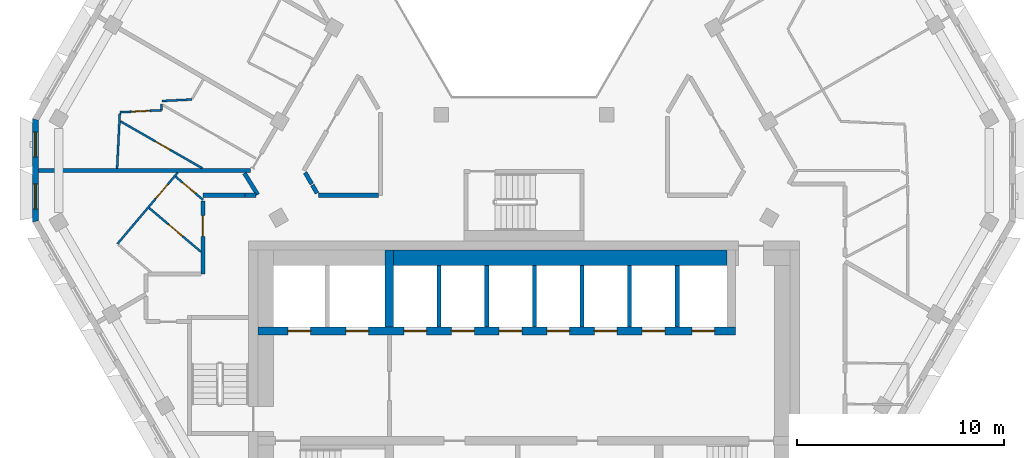
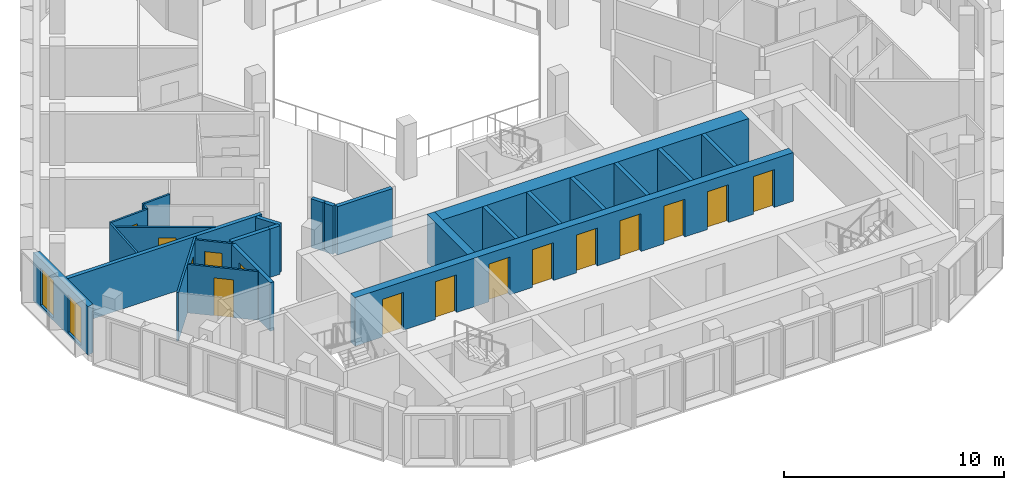
# One storey, part 4 of 16: 26 walls, 15 doors, 2 windows, 17 openings.
"""IFC4 building model written with IfcOpenShell, lengths in metres."""

import ifcopenshell
import ifcopenshell.guid

model = None  # the IFC model being written
_history = None  # IfcOwnerHistory: only IFC2X3 demands one
_inside = {}  # id of a spatial element -> (the spatial element, [elements in it])
_under = {}  # id of a project, library or spatial element -> (it, [spatial elements below it])
_declared = {}  # id of a project -> (the project, [libraries it declares])
_typed = {}  # id of a type object -> (the type object, [elements of that type])
_made_of = {}  # id of a material, layer set ... -> (it, [elements and type objects made of it])


def new_model(schema):
    """Start an empty IFC model of exactly this schema.

    Asked for "IFC4X3", IfcOpenShell would pick the latest addendum, in which some entities
    have other attributes; the version numbers below select the first issue.
    IFC2X3 requires an IfcOwnerHistory on every rooted entity: one is made here for all.
    """
    global model, _history
    if schema == "IFC4X3":
        model = ifcopenshell.file(schema_version=(4, 3, 0, 0))
    else:
        model = ifcopenshell.file(schema=schema)
    _inside.clear()
    _under.clear()
    _declared.clear()
    _typed.clear()
    _made_of.clear()
    _history = None
    if model.schema == "IFC2X3":
        org = make("IfcOrganization", Name="unknown")
        user = make(
            "IfcPersonAndOrganization",
            ThePerson=make("IfcPerson", FamilyName="unknown"),
            TheOrganization=org,
        )
        app = make(
            "IfcApplication",
            ApplicationDeveloper=org,
            Version="unknown",
            ApplicationFullName="unknown",
            ApplicationIdentifier="unknown",
        )
        _history = make(
            "IfcOwnerHistory",
            OwningUser=user,
            OwningApplication=app,
            ChangeAction="ADDED",
            CreationDate=0,
        )
    return model


def make(cls, **values):
    """One entity of the class cls with the attributes given. An attribute that is None is left unset."""
    return model.create_entity(
        cls, **{name: value for name, value in values.items() if value is not None}
    )


def rooted(cls, **values):
    """An entity with a GlobalId (a new one), such as an element, a storey or a relation."""
    return make(cls, GlobalId=ifcopenshell.guid.new(), OwnerHistory=_history, **values)


def si_unit(unit_type, name, prefix=None):
    """IfcSIUnit, for example si_unit("LENGTHUNIT", "METRE", prefix="MILLI")."""
    return make("IfcSIUnit", UnitType=unit_type, Prefix=prefix, Name=name)


def assignment(units):
    """IfcUnitAssignment: the units of a project."""
    return None if units is None else make("IfcUnitAssignment", Units=units)


def point(xyz):
    """IfcCartesianPoint."""
    return None if xyz is None else make("IfcCartesianPoint", Coordinates=xyz)


def direction(xyz):
    """IfcDirection."""
    return None if xyz is None else make("IfcDirection", DirectionRatios=xyz)


def frame(location, z_axis=None, x_axis=None):
    """IfcAxis2Placement3D, a coordinate frame: its origin and axes. An axis left out is left unset."""
    return make(
        "IfcAxis2Placement3D",
        Location=point(location),
        Axis=direction(z_axis),
        RefDirection=direction(x_axis),
    )


def frame_2d(location, x_axis=None):
    """IfcAxis2Placement2D, a coordinate frame in the plane: its origin and x axis."""
    return make(
        "IfcAxis2Placement2D", Location=point(location), RefDirection=direction(x_axis)
    )


def origin():
    """The frame at (0, 0, 0) with its axes left unset."""
    return frame((0.0, 0.0, 0.0))


def place(relative_to, where):
    """IfcLocalPlacement: puts the frame where relative to a parent placement (None: the world)."""
    return make(
        "IfcLocalPlacement", PlacementRelTo=relative_to, RelativePlacement=where
    )


def context(
    kind, dimensions, precision=None, world=None, true_north=None, identifier=None
):
    """IfcGeometricRepresentationContext, for example the 3D "Model" context."""
    return make(
        "IfcGeometricRepresentationContext",
        ContextIdentifier=identifier,
        ContextType=kind,
        CoordinateSpaceDimension=dimensions,
        Precision=precision,
        WorldCoordinateSystem=world,
        TrueNorth=true_north,
    )


def subcontext(parent, identifier, kind, view, scale=None):
    """IfcGeometricRepresentationSubContext, for example "Body" below "Model"."""
    return make(
        "IfcGeometricRepresentationSubContext",
        ContextIdentifier=identifier,
        ContextType=kind,
        ParentContext=parent,
        TargetScale=scale,
        TargetView=view,
    )


def project(units=None, contexts=None):
    """IfcProject with its units and contexts."""
    return rooted(
        "IfcProject",
        Name="project",
        RepresentationContexts=contexts,
        UnitsInContext=assignment(units),
    )


def spatial(cls, under=None, at=None, **own):
    """A site, building, storey or space (cls), placed at a placement, below another one or the project."""
    s = rooted(cls, ObjectPlacement=at, **own)
    if under is not None:
        _under.setdefault(under.id(), (under, []))[1].append(s)
    return s


def polyline(points):
    """IfcPolyline through the points."""
    return make("IfcPolyline", Points=[point(p) for p in points])


def profile(cls, at=None, kind="AREA", **sizes):
    """A parametric profile (cls). Its sizes go by their IFC names, for example OverallWidth=200.0."""
    return make(cls, ProfileType=kind, Position=at, **sizes)


def rectangle(**sizes):
    """IfcRectangleProfileDef."""
    return profile("IfcRectangleProfileDef", **sizes)


def outline(outer, holes=None, kind="AREA"):
    """IfcArbitraryClosedProfileDef: a profile drawn as a closed curve; with holes, ...WithVoids."""
    if holes is None:
        return make("IfcArbitraryClosedProfileDef", ProfileType=kind, OuterCurve=outer)
    return make(
        "IfcArbitraryProfileDefWithVoids",
        ProfileType=kind,
        OuterCurve=outer,
        InnerCurves=holes,
    )


def extrude(swept, where, along, depth):
    """IfcExtrudedAreaSolid: the profile swept, set in the frame where, extruded along a direction by depth."""
    return make(
        "IfcExtrudedAreaSolid",
        SweptArea=swept,
        Position=where,
        ExtrudedDirection=direction(along),
        Depth=depth,
    )


def shape(context_of_items, identifier, shape_type, items):
    """IfcShapeRepresentation: the items that make up one representation, for example the "Body"."""
    return make(
        "IfcShapeRepresentation",
        ContextOfItems=context_of_items,
        RepresentationIdentifier=identifier,
        RepresentationType=shape_type,
        Items=items,
    )


def material(Name=None, Category=None):
    """IfcMaterial."""
    return make("IfcMaterial", Name=Name, Category=Category)


def layer(
    of_material, thickness, ventilated=None, Name=None, Category=None, Priority=None
):
    """IfcMaterialLayer: one layer of a wall or slab, of a material (None: an air gap)."""
    return make(
        "IfcMaterialLayer",
        Material=of_material,
        LayerThickness=thickness,
        IsVentilated=ventilated,
        Name=Name,
        Category=Category,
        Priority=Priority,
    )


def layer_set(layers, Name=None):
    """IfcMaterialLayerSet."""
    return make("IfcMaterialLayerSet", MaterialLayers=layers, LayerSetName=Name)


def made_of(thing, what):
    """Note that an element or type object is made of a material, layer set ...; save() writes the relation."""
    if what is not None:
        _made_of.setdefault(what.id(), (what, []))[1].append(thing)
    return thing


def type_object(cls, material=None, **own):
    """A type object (cls), such as IfcWallType, which elements share."""
    return made_of(rooted(cls, **own), material)


def element(
    cls,
    number,
    at=None,
    inside=None,
    cuts=None,
    type_object=None,
    material=None,
    context=None,
    identifier="Body",
    shape_type=None,
    held_by="IfcProductDefinitionShape",
    body=None,
    shapes=None,
    **own,
):
    """One element of the class cls, such as IfcWall. Its Tag is "e" and its number.

    at: its placement. inside: the storey or other place that contains it. cuts: it is an
    opening in that element (IfcRelVoidsElement). A single representation is given by context,
    identifier, shape_type and body (its items); several are given by shapes. held_by: the class
    of the entity that holds the representations. save() writes the other relations.
    """
    e = rooted(cls, Tag="e%d" % number, ObjectPlacement=at, **own)
    if body is not None:
        shapes = [shape(context, identifier, shape_type, body)]
    if shapes is not None:
        e.Representation = make(held_by, Representations=shapes)
    if inside is not None:
        _inside.setdefault(inside.id(), (inside, []))[1].append(e)
    if cuts is not None:
        rooted(
            "IfcRelVoidsElement", RelatingBuildingElement=cuts, RelatedOpeningElement=e
        )
    if type_object is not None:
        _typed.setdefault(type_object.id(), (type_object, []))[1].append(e)
    return made_of(e, material)


def fill(opening, filler):
    """IfcRelFillsElement: the door or window that sits in an opening."""
    return rooted(
        "IfcRelFillsElement",
        RelatingOpeningElement=opening,
        RelatedBuildingElement=filler,
    )


def aggregate(whole, parts):
    """IfcRelAggregates: a whole, such as a stair, and the parts it consists of."""
    return rooted("IfcRelAggregates", RelatingObject=whole, RelatedObjects=parts)


def save(model, path):
    """Write the relations noted so far, then the file.

    IfcRelAggregates (storeys below a building ...), IfcRelContainedInSpatialStructure (elements
    in a storey), IfcRelDefinesByType, IfcRelAssociatesMaterial and IfcRelDeclares: one each for
    every whole, place, type object, material and project.
    """
    for whole, parts in _under.values():
        aggregate(whole, parts)
    for where, things in _inside.values():
        rooted(
            "IfcRelContainedInSpatialStructure",
            RelatedElements=things,
            RelatingStructure=where,
        )
    for kind, things in _typed.values():
        rooted("IfcRelDefinesByType", RelatedObjects=things, RelatingType=kind)
    for what, things in _made_of.values():
        rooted("IfcRelAssociatesMaterial", RelatedObjects=things, RelatingMaterial=what)
    for by, libraries in _declared.values():
        rooted("IfcRelDeclares", RelatingContext=by, RelatedDefinitions=libraries)
    model.write(path)


model = new_model("IFC4")

# Units and contexts
model_context = context("Model", 3, precision=1e-05, world=origin(), true_north=direction((0.0, 1.0)))
body_context = subcontext(model_context, "Body", "Model", "MODEL_VIEW")
ifc_project = project(units=[si_unit("LENGTHUNIT", "METRE"), si_unit("AREAUNIT", "SQUARE_METRE"), si_unit("VOLUMEUNIT", "CUBIC_METRE"), si_unit("PLANEANGLEUNIT", "RADIAN"), si_unit("MASSUNIT", "GRAM", prefix="KILO")], contexts=[model_context])

# Site, building, storey
site_placement = place(None, origin())
site = spatial("IfcSite", under=ifc_project, at=site_placement, CompositionType="ELEMENT")
building_placement = place(site_placement, origin())
building = spatial("IfcBuilding", under=site, at=building_placement, Name="Beryl Residences", CompositionType="ELEMENT")
storey_placement = place(building_placement, frame((0.0, 0.0, 208.800048828125)))
storey = spatial("IfcBuildingStorey", under=building, at=storey_placement, Name="L64", CompositionType="ELEMENT", Elevation=208.800048828125)

# Wall, openings, windows
ifc_material_1 = material(Name="Composite metal panel with mineral wool insulation")
ifc_layer_1 = layer(ifc_material_1, 0.300048828125)
ifc_layer_set_1 = layer_set([ifc_layer_1], Name="ES1 pale metal composite panel wall 300 mm")
wall_type_1 = type_object("IfcWallType", Name="ES1 pale metal composite panel wall 300 mm", PredefinedType="SOLIDWALL", material=ifc_layer_set_1)
wall_1_placement = place(storey_placement, frame((-23.5791015625, 0.89990234375, 0.0), z_axis=(0.0, 0.0, 1.0), x_axis=(0.0, -1.0, 0.0)))
wall_1 = element("IfcWall", 1, at=wall_1_placement, inside=storey, type_object=wall_type_1, Name="ES1 external wall L64 NW-SW", PredefinedType="SOLIDWALL", context=body_context, shape_type="SweptSolid", body=[
    extrude(outline(polyline([(0.0, -0.14990234375), (5.0, -0.14990234375), (4.919677734375, 0.14990234375), (0.080322265625, 0.14990234375), (0.0, -0.14990234375)])), origin(), (0.0, 0.0, 1.0), 2.699951171875),
])
opening_1_placement = place(wall_1_placement, frame((0.64990234375, 0.0, 0.14990234375)))
opening_1 = element("IfcOpeningElement", 2, at=opening_1_placement, cuts=wall_1, Name="Opening W2", PredefinedType="OPENING", context=body_context, shape_type="SweptSolid", body=[
    extrude(rectangle(XDim=1.199951171875, YDim=2.10009765625, at=frame_2d((0.60009765625, 1.050048828125))), frame((0.0, 0.159912109375, 0.0), z_axis=(0.0, -1.0, 0.0), x_axis=(1.0, 0.0, 0.0)), (0.0, 0.0, 1.0), 0.320068359375),
])
opening_2_placement = place(wall_1_placement, frame((3.14990234375, 0.0, 0.14990234375)))
opening_2 = element("IfcOpeningElement", 3, at=opening_2_placement, cuts=wall_1, Name="Opening W2", PredefinedType="OPENING", context=body_context, shape_type="SweptSolid", body=[
    extrude(rectangle(XDim=1.199951171875, YDim=2.10009765625, at=frame_2d((0.60009765625, 1.050048828125))), frame((0.0, 0.159912109375, 0.0), z_axis=(0.0, -1.0, 0.0), x_axis=(1.0, 0.0, 0.0)), (0.0, 0.0, 1.0), 0.320068359375),
])
ifc_material_2 = material(Name="Aluminium and clear glass", Category="aluminium")
window_type = type_object("IfcWindowType", Name="W2 chamfer window 1200 x 2100 mm", PartitioningType="SINGLE_PANEL", PredefinedType="WINDOW", material=ifc_material_2)
window_1_placement = place(opening_1_placement, origin())
window_1 = element("IfcWindow", 4, at=window_1_placement, inside=storey, type_object=window_type, Name="W2 window L64 NW-SW 1", OverallHeight=2.10009765625, OverallWidth=1.199951171875, PartitioningType="SINGLE_PANEL", PredefinedType="WINDOW", context=body_context, shape_type="SweptSolid", body=[
    extrude(rectangle(XDim=1.199951171875, YDim=2.10009765625, at=frame_2d((0.60009765625, 1.050048828125))), frame((0.0, 0.030029296875, 0.0), z_axis=(0.0, -1.0, 0.0), x_axis=(1.0, 0.0, 0.0)), (0.0, 0.0, 1.0), 0.06005859375),
])
fill(opening_1, window_1)
window_2_placement = place(opening_2_placement, origin())
window_2 = element("IfcWindow", 5, at=window_2_placement, inside=storey, type_object=window_type, Name="W2 window L64 NW-SW 2", OverallHeight=2.10009765625, OverallWidth=1.199951171875, PartitioningType="SINGLE_PANEL", PredefinedType="WINDOW", context=body_context, shape_type="SweptSolid", body=[
    extrude(rectangle(XDim=1.199951171875, YDim=2.10009765625, at=frame_2d((0.60009765625, 1.050048828125))), frame((0.0, 0.030029296875, 0.0), z_axis=(0.0, -1.0, 0.0), x_axis=(1.0, 0.0, 0.0)), (0.0, 0.0, 1.0), 0.06005859375),
])
fill(opening_2, window_2)

# Wall, opening, door
ifc_material_3 = material(Name="Gypsum board partition on steel studs", Category="steel")
ifc_layer_2 = layer(ifc_material_3, 0.10009765625)
ifc_layer_set_2 = layer_set([ifc_layer_2], Name="PT1 partition 100 mm gypsum board on steel studs")
wall_type_2 = type_object("IfcWallType", Name="PT1 partition 100 mm gypsum board on steel studs", PredefinedType="PARTITIONING", material=ifc_layer_set_2)
wall_2_placement = place(storey_placement, frame((-19.47998046875, 0.77099609375, 0.0), z_axis=(0.0, 0.0, 1.0), x_axis=(0.86748552317, -0.497462427817, 0.0)))
wall_2 = element("IfcWall", 6, at=wall_2_placement, inside=storey, type_object=wall_type_2, Name="Wall PT1 L64 018", PredefinedType="PARTITIONING", context=body_context, shape_type="SweptSolid", body=[
    extrude(rectangle(XDim=4.567138671875, YDim=0.10009765625, at=frame_2d((2.28369140625, 0.0))), origin(), (0.0, 0.0, 1.0), 2.699951171875),
])
opening_3_placement = place(wall_2_placement, frame((1.9560546875, 0.0, 0.0)))
opening_3 = element("IfcOpeningElement", 7, at=opening_3_placement, cuts=wall_2, Name="Opening D1819", PredefinedType="OPENING", context=body_context, shape_type="SweptSolid", body=[
    extrude(rectangle(XDim=0.800048828125, YDim=2.10009765625, at=frame_2d((0.39990234375, 1.050048828125))), frame((0.0, 0.06005859375, 0.0), z_axis=(0.0, -1.0, 0.0), x_axis=(1.0, 0.0, 0.0)), (0.0, 0.0, 1.0), 0.1201171875),
])
ifc_material_4 = material(Name="Timber door leaf", Category="wood")
door_type_1 = type_object("IfcDoorType", Name="D3 bathroom door 800 x 2100 mm", OperationType="SINGLE_SWING_LEFT", PredefinedType="DOOR", material=ifc_material_4)
door_1_placement = place(opening_3_placement, origin())
door_1 = element("IfcDoor", 8, at=door_1_placement, inside=storey, type_object=door_type_1, Name="Door D1819 L64 001", OperationType="SINGLE_SWING_LEFT", OverallHeight=2.10009765625, OverallWidth=0.800048828125, PredefinedType="DOOR", context=body_context, shape_type="SweptSolid", body=[
    extrude(rectangle(XDim=0.800048828125, YDim=2.10009765625, at=frame_2d((0.39990234375, 1.050048828125))), frame((0.0, 0.02490234375, 0.0), z_axis=(0.0, -1.0, 0.0), x_axis=(1.0, 0.0, 0.0)), (0.0, 0.0, 1.0), 0.050048828125),
])
fill(opening_3, door_1)

wall_3_placement = place(storey_placement, frame((-16.81591796875, -1.89990234375, 0.0), z_axis=(0.0, 0.0, 1.0), x_axis=(0.763509851459, -0.645796180482, 0.0)))
wall_3 = element("IfcWall", 9, at=wall_3_placement, inside=storey, type_object=wall_type_2, Name="Wall PT1 L64 022", PredefinedType="PARTITIONING", context=body_context, shape_type="SweptSolid", body=[
    extrude(rectangle(XDim=1.7236328125, YDim=0.10009765625, at=frame_2d((0.86181640625, 0.0))), origin(), (0.0, 0.0, 1.0), 2.699951171875),
])
opening_4_placement = place(wall_3_placement, frame((0.43701171875, 0.0, 0.0)))
opening_4 = element("IfcOpeningElement", 10, at=opening_4_placement, cuts=wall_3, Name="Opening D1824", PredefinedType="OPENING", context=body_context, shape_type="SweptSolid", body=[
    extrude(rectangle(XDim=0.800048828125, YDim=2.10009765625, at=frame_2d((0.39990234375, 1.050048828125))), frame((0.0, 0.06005859375, 0.0), z_axis=(0.0, -1.0, 0.0), x_axis=(1.0, 0.0, 0.0)), (0.0, 0.0, 1.0), 0.1201171875),
])
door_2_placement = place(opening_4_placement, origin())
door_2 = element("IfcDoor", 11, at=door_2_placement, inside=storey, type_object=door_type_1, Name="Door D1824 L64 001", OperationType="SINGLE_SWING_RIGHT", OverallHeight=2.10009765625, OverallWidth=0.800048828125, PredefinedType="DOOR", context=body_context, shape_type="SweptSolid", body=[
    extrude(rectangle(XDim=0.800048828125, YDim=2.10009765625, at=frame_2d((0.39990234375, 1.050048828125))), frame((0.0, 0.02490234375, 0.0), z_axis=(0.0, -1.0, 0.0), x_axis=(1.0, 0.0, 0.0)), (0.0, 0.0, 1.0), 0.050048828125),
])
fill(opening_4, door_2)

wall_4_placement = place(storey_placement, frame((-18.094970703125, -3.412109375, 0.0), z_axis=(0.0, 0.0, 1.0), x_axis=(0.763564811502, -0.645731196889, 0.0)))
wall_4 = element("IfcWall", 12, at=wall_4_placement, inside=storey, type_object=wall_type_2, Name="Wall PT1 L64 023", PredefinedType="PARTITIONING", context=body_context, shape_type="SweptSolid", body=[
    extrude(rectangle(XDim=3.267333984375, YDim=0.10009765625, at=frame_2d((1.6337890625, 0.0))), origin(), (0.0, 0.0, 1.0), 2.699951171875),
])
opening_5_placement = place(wall_4_placement, frame((1.22412109375, 0.0, 0.0)))
opening_5 = element("IfcOpeningElement", 13, at=opening_5_placement, cuts=wall_4, Name="Opening D1822", PredefinedType="OPENING", context=body_context, shape_type="SweptSolid", body=[
    extrude(rectangle(XDim=0.89990234375, YDim=2.10009765625, at=frame_2d((0.449951171875, 1.050048828125))), frame((0.0, 0.06005859375, 0.0), z_axis=(0.0, -1.0, 0.0), x_axis=(1.0, 0.0, 0.0)), (0.0, 0.0, 1.0), 0.1201171875),
])
ifc_material_5 = material(Name="Timber door leaf", Category="wood")
door_type_2 = type_object("IfcDoorType", Name="D2 room door 900 x 2100 mm", OperationType="SINGLE_SWING_LEFT", PredefinedType="DOOR", material=ifc_material_5)
door_3_placement = place(opening_5_placement, origin())
door_3 = element("IfcDoor", 14, at=door_3_placement, inside=storey, type_object=door_type_2, Name="Door D1822 L64 001", OperationType="SINGLE_SWING_RIGHT", OverallHeight=2.10009765625, OverallWidth=0.89990234375, PredefinedType="DOOR", context=body_context, shape_type="SweptSolid", body=[
    extrude(rectangle(XDim=0.89990234375, YDim=2.10009765625, at=frame_2d((0.449951171875, 1.050048828125))), frame((0.0, 0.02490234375, 0.0), z_axis=(0.0, -1.0, 0.0), x_axis=(1.0, 0.0, 0.0)), (0.0, 0.0, 1.0), 0.050048828125),
])
fill(opening_5, door_3)

wall_5_placement = place(storey_placement, frame((-19.625, -5.14404296875, 0.0), z_axis=(0.0, 0.0, 1.0), x_axis=(0.645668001073, 0.763618250431, 0.0)))
wall_5 = element("IfcWall", 15, at=wall_5_placement, inside=storey, type_object=wall_type_2, Name="Wall PT1 L64 027", PredefinedType="PARTITIONING", context=body_context, shape_type="SweptSolid", body=[
    extrude(rectangle(XDim=4.51025390625, YDim=0.10009765625, at=frame_2d((2.255126953125, 0.0))), origin(), (0.0, 0.0, 1.0), 2.699951171875),
])
opening_6_placement = place(wall_5_placement, frame((2.85009765625, 0.0, 0.0)))
opening_6 = element("IfcOpeningElement", 16, at=opening_6_placement, cuts=wall_5, Name="Opening D1823", PredefinedType="OPENING", context=body_context, shape_type="SweptSolid", body=[
    extrude(rectangle(XDim=0.89990234375, YDim=2.10009765625, at=frame_2d((0.449951171875, 1.050048828125))), frame((0.0, 0.06005859375, 0.0), z_axis=(0.0, -1.0, 0.0), x_axis=(1.0, 0.0, 0.0)), (0.0, 0.0, 1.0), 0.1201171875),
])
door_4_placement = place(opening_6_placement, origin())
door_4 = element("IfcDoor", 17, at=door_4_placement, inside=storey, type_object=door_type_2, Name="Door D1823 L64 001", OperationType="SINGLE_SWING_LEFT", OverallHeight=2.10009765625, OverallWidth=0.89990234375, PredefinedType="DOOR", context=body_context, shape_type="SweptSolid", body=[
    extrude(rectangle(XDim=0.89990234375, YDim=2.10009765625, at=frame_2d((0.449951171875, 1.050048828125))), frame((0.0, 0.02490234375, 0.0), z_axis=(0.0, -1.0, 0.0), x_axis=(1.0, 0.0, 0.0)), (0.0, 0.0, 1.0), 0.050048828125),
])
fill(opening_6, door_4)

# Walls
wall_6_placement = place(storey_placement, frame((-17.5029296875, 1.306884765625, 0.0), z_axis=(0.0, 0.0, 1.0), x_axis=(0.049055201451, 0.99879606888, 0.0)))
element("IfcWall", 18, at=wall_6_placement, inside=storey, type_object=wall_type_2, Name="Wall PT1 L64 034", PredefinedType="PARTITIONING", context=body_context, shape_type="SweptSolid", body=[
    extrude(rectangle(XDim=0.303466796875, YDim=0.10009765625, at=frame_2d((0.15185546875, 0.0))), origin(), (0.0, 0.0, 1.0), 2.699951171875),
])
wall_7_placement = place(storey_placement, frame((-19.64111328125, -1.5, 0.0), z_axis=(0.0, 0.0, 1.0), x_axis=(0.048898906005, 0.998803732968, 0.0)))
element("IfcWall", 19, at=wall_7_placement, inside=storey, type_object=wall_type_2, Name="Wall PT1 L64 035", PredefinedType="PARTITIONING", context=body_context, shape_type="SweptSolid", body=[
    extrude(rectangle(XDim=2.6611328125, YDim=0.10009765625, at=frame_2d((1.33056640625, 0.0))), origin(), (0.0, 0.0, 1.0), 2.699951171875),
])

# Wall, opening, door
wall_8_placement = place(storey_placement, frame((-19.508056640625, 1.2080078125, 0.0), z_axis=(0.0, 0.0, 1.0), x_axis=(0.998786372978, 0.04925221978, 0.0)))
wall_8 = element("IfcWall", 20, at=wall_8_placement, inside=storey, type_object=wall_type_2, Name="Wall PT1 L64 045", PredefinedType="PARTITIONING", context=body_context, shape_type="SweptSolid", body=[
    extrude(rectangle(XDim=2.007568359375, YDim=0.10009765625, at=frame_2d((1.00390625, 0.0))), origin(), (0.0, 0.0, 1.0), 2.699951171875),
])
opening_7_placement = place(wall_8_placement, frame((0.553955078125, 0.0, 0.0)))
opening_7 = element("IfcOpeningElement", 21, at=opening_7_placement, cuts=wall_8, Name="Opening D1820", PredefinedType="OPENING", context=body_context, shape_type="SweptSolid", body=[
    extrude(rectangle(XDim=0.89990234375, YDim=2.10009765625, at=frame_2d((0.449951171875, 1.050048828125))), frame((0.0, 0.06005859375, 0.0), z_axis=(0.0, -1.0, 0.0), x_axis=(1.0, 0.0, 0.0)), (0.0, 0.0, 1.0), 0.1201171875),
])
door_5_placement = place(opening_7_placement, origin())
door_5 = element("IfcDoor", 22, at=door_5_placement, inside=storey, type_object=door_type_2, Name="Door D1820 L64 001", OperationType="SINGLE_SWING_RIGHT", OverallHeight=2.10009765625, OverallWidth=0.89990234375, PredefinedType="DOOR", context=body_context, shape_type="SweptSolid", body=[
    extrude(rectangle(XDim=0.89990234375, YDim=2.10009765625, at=frame_2d((0.449951171875, 1.050048828125))), frame((0.0, 0.02490234375, 0.0), z_axis=(0.0, -1.0, 0.0), x_axis=(1.0, 0.0, 0.0)), (0.0, 0.0, 1.0), 0.050048828125),
])
fill(opening_7, door_5)

# Walls
wall_9_placement = place(storey_placement, frame((-17.48095703125, 1.7529296875, 0.0), z_axis=(0.0, 0.0, 1.0), x_axis=(0.998793651238, 0.049104401505, 0.0)))
element("IfcWall", 23, at=wall_9_placement, inside=storey, type_object=wall_type_2, Name="Wall PT1 L64 046", PredefinedType="PARTITIONING", context=body_context, shape_type="SweptSolid", body=[
    extrude(rectangle(XDim=1.44677734375, YDim=0.10009765625, at=frame_2d((0.723388671875, 0.0))), origin(), (0.0, 0.0, 1.0), 2.699951171875),
])
ifc_material_6 = material(Name="Acoustic double stud gypsum board wall")
ifc_layer_3 = layer(ifc_material_6, 0.199951171875)
ifc_layer_set_3 = layer_set([ifc_layer_3], Name="PT3 party wall 200 mm acoustic double stud")
wall_type_3 = type_object("IfcWallType", Name="PT3 party wall 200 mm acoustic double stud", PredefinedType="PARTITIONING", material=ifc_layer_set_3)
wall_10_placement = place(storey_placement, frame((-13.49609375, -1.72998046875, 0.0), z_axis=(0.0, 0.0, 1.0), x_axis=(0.525458799645, -0.850819046493, 0.0)))
element("IfcWall", 24, at=wall_10_placement, inside=storey, type_object=wall_type_3, Name="Wall PT3 L64 006", PredefinedType="PARTITIONING", context=body_context, shape_type="SweptSolid", body=[
    extrude(rectangle(XDim=1.22021484375, YDim=0.199951171875, at=frame_2d((0.610107421875, 0.0))), origin(), (0.0, 0.0, 1.0), 2.699951171875),
])
wall_11_placement = place(storey_placement, frame((-23.428955078125, -1.60107421875, 0.0), z_axis=(0.0, 0.0, 1.0), x_axis=(0.999999995449, 9.5406191e-05, 0.0)))
element("IfcWall", 25, at=wall_11_placement, inside=storey, type_object=wall_type_3, Name="Wall PT3 L64 007", PredefinedType="PARTITIONING", context=body_context, shape_type="SweptSolid", body=[
    extrude(rectangle(XDim=10.23583984375, YDim=0.199951171875, at=frame_2d((5.117919921875, 0.0))), origin(), (0.0, 0.0, 1.0), 2.699951171875),
])
ifc_material_7 = material(Name="Double stud gypsum board wall")
ifc_layer_4 = layer(ifc_material_7, 0.199951171875)
ifc_layer_set_4 = layer_set([ifc_layer_4], Name="PT4 corridor wall 200 mm double stud")
wall_type_4 = type_object("IfcWallType", Name="PT4 corridor wall 200 mm double stud", PredefinedType="PARTITIONING", material=ifc_layer_set_4)
wall_12_placement = place(storey_placement, frame((-10.56494140625, -1.700927734375, 0.0), z_axis=(0.0, 0.0, 1.0), x_axis=(0.499512735409, -0.866306543416, 0.0)))
element("IfcWall", 26, at=wall_12_placement, inside=storey, type_object=wall_type_4, Name="Wall PT4 L64 003", PredefinedType="PARTITIONING", context=body_context, shape_type="SweptSolid", body=[
    extrude(rectangle(XDim=0.638427734375, YDim=0.199951171875, at=frame_2d((0.3193359375, 0.0))), origin(), (0.0, 0.0, 1.0), 2.699951171875),
])
wall_13_placement = place(storey_placement, frame((-10.217041015625, -2.303955078125, 0.0), z_axis=(0.0, 0.0, 1.0), x_axis=(0.499013081552, -0.866594452117, 0.0)))
element("IfcWall", 27, at=wall_13_placement, inside=storey, type_object=wall_type_4, Name="Wall PT4 L64 004", PredefinedType="PARTITIONING", context=body_context, shape_type="SweptSolid", body=[
    extrude(rectangle(XDim=0.45703125, YDim=0.199951171875, at=frame_2d((0.228515625, 0.0))), origin(), (0.0, 0.0, 1.0), 2.699951171875),
])
wall_14_placement = place(storey_placement, frame((-13.471923828125, -2.798095703125, 0.0), z_axis=(0.0, 0.0, 1.0), x_axis=(1.0, 0.0, 0.0)))
element("IfcWall", 28, at=wall_14_placement, inside=storey, type_object=wall_type_4, Name="Wall PT4 L64 014", PredefinedType="PARTITIONING", context=body_context, shape_type="SweptSolid", body=[
    extrude(rectangle(XDim=0.534912109375, YDim=0.199951171875, at=frame_2d((0.267578125, 0.0))), origin(), (0.0, 0.0, 1.0), 2.699951171875),
])
wall_15_placement = place(storey_placement, frame((-15.4990234375, -2.800048828125, 0.0), z_axis=(0.0, 0.0, 1.0), x_axis=(1.0, 0.0, 0.0)))
element("IfcWall", 29, at=wall_15_placement, inside=storey, type_object=wall_type_4, Name="Wall PT4 L64 016", PredefinedType="PARTITIONING", context=body_context, shape_type="SweptSolid", body=[
    extrude(rectangle(XDim=2.02490234375, YDim=0.199951171875, at=frame_2d((1.012451171875, 0.0))), origin(), (0.0, 0.0, 1.0), 2.699951171875),
])
wall_16_placement = place(storey_placement, frame((-9.929931640625, -2.800048828125, 0.0), z_axis=(0.0, 0.0, 1.0), x_axis=(1.0, 0.0, 0.0)))
element("IfcWall", 30, at=wall_16_placement, inside=storey, type_object=wall_type_4, Name="Wall PT4 L64 017", PredefinedType="PARTITIONING", context=body_context, shape_type="SweptSolid", body=[
    extrude(rectangle(XDim=2.90087890625, YDim=0.199951171875, at=frame_2d((1.450439453125, 0.0))), origin(), (0.0, 0.0, 1.0), 2.699951171875),
])

# Wall, opening, door
wall_17_placement = place(storey_placement, frame((-15.5, -6.59912109375, 0.0), z_axis=(0.0, 0.0, 1.0), x_axis=(0.0, 1.0, 0.0)))
wall_17 = element("IfcWall", 31, at=wall_17_placement, inside=storey, type_object=wall_type_4, Name="Wall PT4 L64 032", PredefinedType="PARTITIONING", context=body_context, shape_type="SweptSolid", body=[
    extrude(rectangle(XDim=3.52001953125, YDim=0.199951171875, at=frame_2d((1.760009765625, 0.0))), origin(), (0.0, 0.0, 1.0), 2.699951171875),
])
opening_8_placement = place(wall_17_placement, frame((1.81494140625, 0.0, 0.0)))
opening_8 = element("IfcOpeningElement", 32, at=opening_8_placement, cuts=wall_17, Name="Opening D1821", PredefinedType="OPENING", context=body_context, shape_type="SweptSolid", body=[
    extrude(rectangle(XDim=1.0, YDim=2.10009765625, at=frame_2d((0.5, 1.050048828125))), frame((0.0, 0.10986328125, 0.0), z_axis=(0.0, -1.0, 0.0), x_axis=(1.0, 0.0, 0.0)), (0.0, 0.0, 1.0), 0.219970703125),
])
ifc_material_8 = material(Name="Timber door leaf", Category="wood")
door_type_3 = type_object("IfcDoorType", Name="D1 flat entrance door 1000 x 2100 mm", OperationType="SINGLE_SWING_LEFT", PredefinedType="DOOR", material=ifc_material_8)
door_6_placement = place(opening_8_placement, origin())
door_6 = element("IfcDoor", 33, at=door_6_placement, inside=storey, type_object=door_type_3, Name="Door D1821 L64 001", OperationType="SINGLE_SWING_LEFT", OverallHeight=2.10009765625, OverallWidth=1.0, PredefinedType="DOOR", context=body_context, shape_type="SweptSolid", body=[
    extrude(rectangle(XDim=1.0, YDim=2.10009765625, at=frame_2d((0.5, 1.050048828125))), frame((0.0, 0.02490234375, 0.0), z_axis=(0.0, -1.0, 0.0), x_axis=(1.0, 0.0, 0.0)), (0.0, 0.0, 1.0), 0.050048828125),
])
fill(opening_8, door_6)

# Walls
ifc_material_9 = material(Name="Concrete C40/50", Category="concrete")
ifc_layer_5 = layer(ifc_material_9, 0.199951171875)
ifc_layer_set_5 = layer_set([ifc_layer_5], Name="PT6 lift shaft wall 200 mm reinforced concrete C40/50")
wall_type_5 = type_object("IfcWallType", Name="PT6 lift shaft wall 200 mm reinforced concrete C40/50", PredefinedType="SOLIDWALL", material=ifc_layer_set_5)
for number, where, z_axis, x_axis, name in (
    (34, (-4.10009765625, -9.14990234375, 0.0), (0.0, 0.0, 1.0), (0.0, 1.0, 0.0), "Lift shaft wall 15"),
    (35, (-1.800048828125, -9.14990234375, 0.0), (0.0, 0.0, 1.0), (0.0, 1.0, 0.0), "Lift shaft wall 17"),
    (36, (0.5, -9.14990234375, 0.0), (0.0, 0.0, 1.0), (0.0, 1.0, 0.0), "Lift shaft wall 19"),
    (37, (2.800048828125, -9.14990234375, 0.0), (0.0, 0.0, 1.0), (0.0, 1.0, 0.0), "Lift shaft wall 20"),
    (38, (5.10009765625, -9.14990234375, 0.0), (0.0, 0.0, 1.0), (0.0, 1.0, 0.0), "Lift shaft wall 21"),
    (39, (7.39990234375, -9.14990234375, 0.0), (0.0, 0.0, 1.0), (0.0, 1.0, 0.0), "Lift shaft wall 23"),
):
    element("IfcWall", number, at=place(storey_placement, frame(where, z_axis=z_axis, x_axis=x_axis)), inside=storey, type_object=wall_type_5, Name=name, PredefinedType="SOLIDWALL", context=body_context, shape_type="SweptSolid", body=[
        extrude(rectangle(XDim=2.949951171875, YDim=0.199951171875, at=frame_2d((1.47509765625, 0.0))), origin(), (0.0, 0.0, 1.0), 2.699951171875),
    ])
ifc_material_10 = material(Name="Concrete C40/50", Category="concrete")
ifc_layer_6 = layer(ifc_material_10, 0.75)
ifc_layer_set_6 = layer_set([ifc_layer_6], Name="PT6-750 lift shaft wall 750 mm")
wall_type_6 = type_object("IfcWallType", Name="PT6-750 lift shaft wall 750 mm", PredefinedType="SOLIDWALL", material=ifc_layer_set_6)
wall_18_placement = place(storey_placement, frame((-6.300048828125, -5.824951171875, 0.0), z_axis=(0.0, 0.0, 1.0), x_axis=(1.0, 0.0, 0.0)))
element("IfcWall", 40, at=wall_18_placement, inside=storey, type_object=wall_type_6, Name="Lift shaft wall 14", PredefinedType="SOLIDWALL", context=body_context, shape_type="SweptSolid", body=[
    extrude(rectangle(XDim=16.10009765625, YDim=0.75, at=frame_2d((8.050048828125, 0.0))), origin(), (0.0, 0.0, 1.0), 2.699951171875),
])

# Wall, openings, doors
ifc_material_11 = material(Name="Concrete C50/60", Category="concrete")
ifc_layer_7 = layer(ifc_material_11, 0.39990234375)
ifc_layer_set_7 = layer_set([ifc_layer_7], Name="SW10 core internal wall 400 mm C50/60")
wall_type_7 = type_object("IfcWallType", Name="SW10 core internal wall 400 mm C50/60", PredefinedType="SHEAR", material=ifc_layer_set_7)
wall_19_placement = place(storey_placement, frame((-12.85009765625, -9.35009765625, 0.0), z_axis=(0.0, 0.0, 1.0), x_axis=(1.0, 0.0, 0.0)))
wall_19 = element("IfcWall", 41, at=wall_19_placement, inside=storey, type_object=wall_type_7, Name="Core wall SP2 L64", PredefinedType="SHEAR", context=body_context, shape_type="SweptSolid", body=[
    extrude(rectangle(XDim=23.050048828125, YDim=0.39990234375, at=frame_2d((11.52490234375, 0.0))), origin(), (0.0, 0.0, 1.0), 2.699951171875),
])
opening_9_placement = place(wall_19_placement, frame((1.449951171875, 0.0, 0.0)))
opening_9 = element("IfcOpeningElement", 42, at=opening_9_placement, cuts=wall_19, Name="Opening LD-FF1", PredefinedType="OPENING", context=body_context, shape_type="SweptSolid", body=[
    extrude(rectangle(XDim=1.10009765625, YDim=2.10009765625, at=frame_2d((0.550048828125, 1.050048828125))), frame((0.0, 0.2099609375, 0.0), z_axis=(0.0, -1.0, 0.0), x_axis=(1.0, 0.0, 0.0)), (0.0, 0.0, 1.0), 0.419921875),
])
opening_10_placement = place(wall_19_placement, frame((4.25, 0.0, 0.0)))
opening_10 = element("IfcOpeningElement", 43, at=opening_10_placement, cuts=wall_19, Name="Opening LD-FF2", PredefinedType="OPENING", context=body_context, shape_type="SweptSolid", body=[
    extrude(rectangle(XDim=1.10009765625, YDim=2.10009765625, at=frame_2d((0.550048828125, 1.050048828125))), frame((0.0, 0.2099609375, 0.0), z_axis=(0.0, -1.0, 0.0), x_axis=(1.0, 0.0, 0.0)), (0.0, 0.0, 1.0), 0.419921875),
])
opening_11_placement = place(wall_19_placement, frame((7.050048828125, 0.0, 0.0)))
opening_11 = element("IfcOpeningElement", 44, at=opening_11_placement, cuts=wall_19, Name="Opening LD-HR1", PredefinedType="OPENING", context=body_context, shape_type="SweptSolid", body=[
    extrude(rectangle(XDim=1.10009765625, YDim=2.10009765625, at=frame_2d((0.550048828125, 1.050048828125))), frame((0.0, 0.2099609375, 0.0), z_axis=(0.0, -1.0, 0.0), x_axis=(1.0, 0.0, 0.0)), (0.0, 0.0, 1.0), 0.419921875),
])
opening_12_placement = place(wall_19_placement, frame((9.35009765625, 0.0, 0.0)))
opening_12 = element("IfcOpeningElement", 45, at=opening_12_placement, cuts=wall_19, Name="Opening LD-HR2", PredefinedType="OPENING", context=body_context, shape_type="SweptSolid", body=[
    extrude(rectangle(XDim=1.10009765625, YDim=2.10009765625, at=frame_2d((0.550048828125, 1.050048828125))), frame((0.0, 0.2099609375, 0.0), z_axis=(0.0, -1.0, 0.0), x_axis=(1.0, 0.0, 0.0)), (0.0, 0.0, 1.0), 0.419921875),
])
opening_13_placement = place(wall_19_placement, frame((11.64990234375, 0.0, 0.0)))
opening_13 = element("IfcOpeningElement", 46, at=opening_13_placement, cuts=wall_19, Name="Opening LD-HR3", PredefinedType="OPENING", context=body_context, shape_type="SweptSolid", body=[
    extrude(rectangle(XDim=1.10009765625, YDim=2.10009765625, at=frame_2d((0.550048828125, 1.050048828125))), frame((0.0, 0.2099609375, 0.0), z_axis=(0.0, -1.0, 0.0), x_axis=(1.0, 0.0, 0.0)), (0.0, 0.0, 1.0), 0.419921875),
])
opening_14_placement = place(wall_19_placement, frame((13.949951171875, 0.0, 0.0)))
opening_14 = element("IfcOpeningElement", 47, at=opening_14_placement, cuts=wall_19, Name="Opening LD-HR4", PredefinedType="OPENING", context=body_context, shape_type="SweptSolid", body=[
    extrude(rectangle(XDim=1.10009765625, YDim=2.10009765625, at=frame_2d((0.550048828125, 1.050048828125))), frame((0.0, 0.2099609375, 0.0), z_axis=(0.0, -1.0, 0.0), x_axis=(1.0, 0.0, 0.0)), (0.0, 0.0, 1.0), 0.419921875),
])
opening_15_placement = place(wall_19_placement, frame((16.25, 0.0, 0.0)))
opening_15 = element("IfcOpeningElement", 48, at=opening_15_placement, cuts=wall_19, Name="Opening LD-HR5", PredefinedType="OPENING", context=body_context, shape_type="SweptSolid", body=[
    extrude(rectangle(XDim=1.10009765625, YDim=2.10009765625, at=frame_2d((0.550048828125, 1.050048828125))), frame((0.0, 0.2099609375, 0.0), z_axis=(0.0, -1.0, 0.0), x_axis=(1.0, 0.0, 0.0)), (0.0, 0.0, 1.0), 0.419921875),
])
opening_16_placement = place(wall_19_placement, frame((18.550048828125, 0.0, 0.0)))
opening_16 = element("IfcOpeningElement", 49, at=opening_16_placement, cuts=wall_19, Name="Opening LD-HR6", PredefinedType="OPENING", context=body_context, shape_type="SweptSolid", body=[
    extrude(rectangle(XDim=1.10009765625, YDim=2.10009765625, at=frame_2d((0.550048828125, 1.050048828125))), frame((0.0, 0.2099609375, 0.0), z_axis=(0.0, -1.0, 0.0), x_axis=(1.0, 0.0, 0.0)), (0.0, 0.0, 1.0), 0.419921875),
])
opening_17_placement = place(wall_19_placement, frame((20.949951171875, 0.0, 0.0)))
opening_17 = element("IfcOpeningElement", 50, at=opening_17_placement, cuts=wall_19, Name="Opening LD-SL1", PredefinedType="OPENING", context=body_context, shape_type="SweptSolid", body=[
    extrude(rectangle(XDim=1.10009765625, YDim=2.10009765625, at=frame_2d((0.550048828125, 1.050048828125))), frame((0.0, 0.2099609375, 0.0), z_axis=(0.0, -1.0, 0.0), x_axis=(1.0, 0.0, 0.0)), (0.0, 0.0, 1.0), 0.419921875),
])
ifc_material_12 = material(Name="Stainless steel sliding door", Category="steel")
door_type_4 = type_object("IfcDoorType", Name="LD1 lift landing door 1100 x 2100 mm", OperationType="DOUBLE_DOOR_SLIDING", PredefinedType="DOOR", material=ifc_material_12)
door_7_placement = place(opening_9_placement, origin())
door_7 = element("IfcDoor", 51, at=door_7_placement, inside=storey, type_object=door_type_4, Name="Lift landing door FF1", OperationType="DOUBLE_DOOR_SLIDING", OverallHeight=2.10009765625, OverallWidth=1.10009765625, PredefinedType="DOOR", context=body_context, shape_type="SweptSolid", body=[
    extrude(rectangle(XDim=1.10009765625, YDim=2.10009765625, at=frame_2d((0.550048828125, 1.050048828125))), frame((0.0, 0.02490234375, 0.0), z_axis=(0.0, -1.0, 0.0), x_axis=(1.0, 0.0, 0.0)), (0.0, 0.0, 1.0), 0.050048828125),
])
fill(opening_9, door_7)
door_8_placement = place(opening_10_placement, origin())
door_8 = element("IfcDoor", 52, at=door_8_placement, inside=storey, type_object=door_type_4, Name="Lift landing door FF2", OperationType="DOUBLE_DOOR_SLIDING", OverallHeight=2.10009765625, OverallWidth=1.10009765625, PredefinedType="DOOR", context=body_context, shape_type="SweptSolid", body=[
    extrude(rectangle(XDim=1.10009765625, YDim=2.10009765625, at=frame_2d((0.550048828125, 1.050048828125))), frame((0.0, 0.02490234375, 0.0), z_axis=(0.0, -1.0, 0.0), x_axis=(1.0, 0.0, 0.0)), (0.0, 0.0, 1.0), 0.050048828125),
])
fill(opening_10, door_8)
door_9_placement = place(opening_11_placement, origin())
door_9 = element("IfcDoor", 53, at=door_9_placement, inside=storey, type_object=door_type_4, Name="Lift landing door HR1", OperationType="DOUBLE_DOOR_SLIDING", OverallHeight=2.10009765625, OverallWidth=1.10009765625, PredefinedType="DOOR", context=body_context, shape_type="SweptSolid", body=[
    extrude(rectangle(XDim=1.10009765625, YDim=2.10009765625, at=frame_2d((0.550048828125, 1.050048828125))), frame((0.0, 0.02490234375, 0.0), z_axis=(0.0, -1.0, 0.0), x_axis=(1.0, 0.0, 0.0)), (0.0, 0.0, 1.0), 0.050048828125),
])
fill(opening_11, door_9)
door_10_placement = place(opening_12_placement, origin())
door_10 = element("IfcDoor", 54, at=door_10_placement, inside=storey, type_object=door_type_4, Name="Lift landing door HR2", OperationType="DOUBLE_DOOR_SLIDING", OverallHeight=2.10009765625, OverallWidth=1.10009765625, PredefinedType="DOOR", context=body_context, shape_type="SweptSolid", body=[
    extrude(rectangle(XDim=1.10009765625, YDim=2.10009765625, at=frame_2d((0.550048828125, 1.050048828125))), frame((0.0, 0.02490234375, 0.0), z_axis=(0.0, -1.0, 0.0), x_axis=(1.0, 0.0, 0.0)), (0.0, 0.0, 1.0), 0.050048828125),
])
fill(opening_12, door_10)
door_11_placement = place(opening_13_placement, origin())
door_11 = element("IfcDoor", 55, at=door_11_placement, inside=storey, type_object=door_type_4, Name="Lift landing door HR3", OperationType="DOUBLE_DOOR_SLIDING", OverallHeight=2.10009765625, OverallWidth=1.10009765625, PredefinedType="DOOR", context=body_context, shape_type="SweptSolid", body=[
    extrude(rectangle(XDim=1.10009765625, YDim=2.10009765625, at=frame_2d((0.550048828125, 1.050048828125))), frame((0.0, 0.02490234375, 0.0), z_axis=(0.0, -1.0, 0.0), x_axis=(1.0, 0.0, 0.0)), (0.0, 0.0, 1.0), 0.050048828125),
])
fill(opening_13, door_11)
door_12_placement = place(opening_14_placement, origin())
door_12 = element("IfcDoor", 56, at=door_12_placement, inside=storey, type_object=door_type_4, Name="Lift landing door HR4", OperationType="DOUBLE_DOOR_SLIDING", OverallHeight=2.10009765625, OverallWidth=1.10009765625, PredefinedType="DOOR", context=body_context, shape_type="SweptSolid", body=[
    extrude(rectangle(XDim=1.10009765625, YDim=2.10009765625, at=frame_2d((0.550048828125, 1.050048828125))), frame((0.0, 0.02490234375, 0.0), z_axis=(0.0, -1.0, 0.0), x_axis=(1.0, 0.0, 0.0)), (0.0, 0.0, 1.0), 0.050048828125),
])
fill(opening_14, door_12)
door_13_placement = place(opening_15_placement, origin())
door_13 = element("IfcDoor", 57, at=door_13_placement, inside=storey, type_object=door_type_4, Name="Lift landing door HR5", OperationType="DOUBLE_DOOR_SLIDING", OverallHeight=2.10009765625, OverallWidth=1.10009765625, PredefinedType="DOOR", context=body_context, shape_type="SweptSolid", body=[
    extrude(rectangle(XDim=1.10009765625, YDim=2.10009765625, at=frame_2d((0.550048828125, 1.050048828125))), frame((0.0, 0.02490234375, 0.0), z_axis=(0.0, -1.0, 0.0), x_axis=(1.0, 0.0, 0.0)), (0.0, 0.0, 1.0), 0.050048828125),
])
fill(opening_15, door_13)
door_14_placement = place(opening_16_placement, origin())
door_14 = element("IfcDoor", 58, at=door_14_placement, inside=storey, type_object=door_type_4, Name="Lift landing door HR6", OperationType="DOUBLE_DOOR_SLIDING", OverallHeight=2.10009765625, OverallWidth=1.10009765625, PredefinedType="DOOR", context=body_context, shape_type="SweptSolid", body=[
    extrude(rectangle(XDim=1.10009765625, YDim=2.10009765625, at=frame_2d((0.550048828125, 1.050048828125))), frame((0.0, 0.02490234375, 0.0), z_axis=(0.0, -1.0, 0.0), x_axis=(1.0, 0.0, 0.0)), (0.0, 0.0, 1.0), 0.050048828125),
])
fill(opening_16, door_14)
door_15_placement = place(opening_17_placement, origin())
door_15 = element("IfcDoor", 59, at=door_15_placement, inside=storey, type_object=door_type_4, Name="Lift landing door SL1", OperationType="DOUBLE_DOOR_SLIDING", OverallHeight=2.10009765625, OverallWidth=1.10009765625, PredefinedType="DOOR", context=body_context, shape_type="SweptSolid", body=[
    extrude(rectangle(XDim=1.10009765625, YDim=2.10009765625, at=frame_2d((0.550048828125, 1.050048828125))), frame((0.0, 0.02490234375, 0.0), z_axis=(0.0, -1.0, 0.0), x_axis=(1.0, 0.0, 0.0)), (0.0, 0.0, 1.0), 0.050048828125),
])
fill(opening_17, door_15)

# Wall
wall_20_placement = place(storey_placement, frame((-6.5, -9.14990234375, 0.0), z_axis=(0.0, 0.0, 1.0), x_axis=(0.0, 1.0, 0.0)))
element("IfcWall", 60, at=wall_20_placement, inside=storey, type_object=wall_type_7, Name="Core wall XN1 L64", PredefinedType="SHEAR", context=body_context, shape_type="SweptSolid", body=[
    extrude(rectangle(XDim=3.699951171875, YDim=0.39990234375, at=frame_2d((1.85009765625, 0.0))), origin(), (0.0, 0.0, 1.0), 2.699951171875),
])

save(model, "model.ifc")
